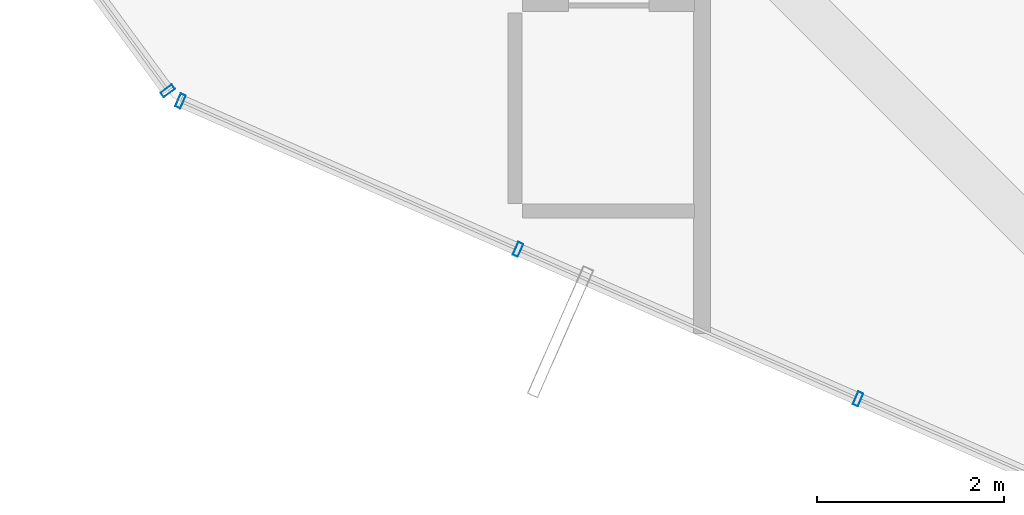
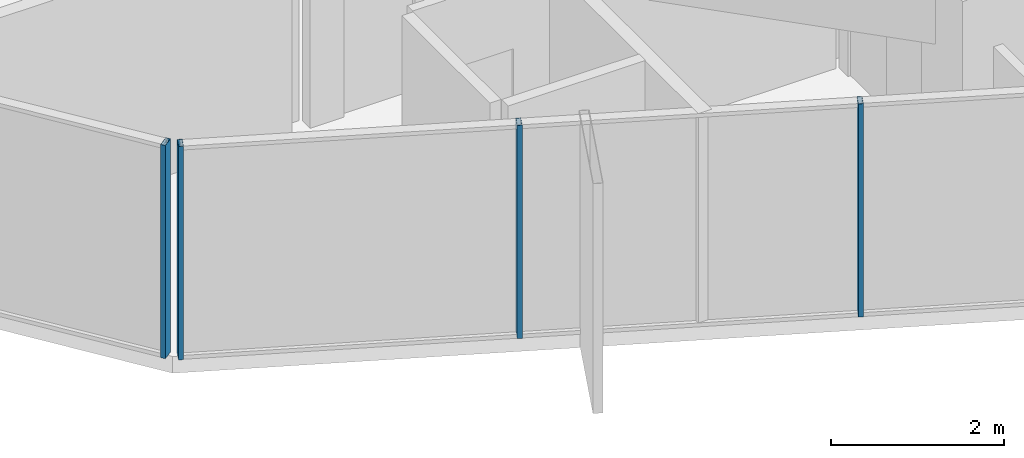
# One storey, part 2 of 32: 4 members, 2 elements without a shape of their own.
"""IFC4 building model written with IfcOpenShell, lengths in metres."""

from ifc_helpers import new_model, si_unit, direction, frame, origin, origin_2d, place, context, subcontext, project, spatial, hollow_rectangle, extrude, source, transform, mapped, material, layer, layer_set, material_profile, profile_set, type_object, element, aggregate, save


model = new_model("IFC4")

# Units and contexts
model_context = context("Model", 3, precision=1e-05, world=origin(), true_north=direction((0.0, 1.0)))
body_context = subcontext(model_context, "Body", "Model", "MODEL_VIEW")
ifc_project = project(units=[si_unit("LENGTHUNIT", "METRE"), si_unit("AREAUNIT", "SQUARE_METRE"), si_unit("VOLUMEUNIT", "CUBIC_METRE"), si_unit("PLANEANGLEUNIT", "RADIAN"), si_unit("MASSUNIT", "GRAM", prefix="KILO")], contexts=[model_context])

# Site, building, storey
site_placement = place(None, origin())
site = spatial("IfcSite", under=ifc_project, at=site_placement, CompositionType="ELEMENT")
building_placement = place(site_placement, origin())
building = spatial("IfcBuilding", under=site, at=building_placement, Name="Veraguas Prism Commons", CompositionType="ELEMENT")
storey_placement = place(building_placement, frame((0.0, 0.0, 185.35009765625)))
storey = spatial("IfcBuildingStorey", under=building, at=storey_placement, Name="L52", CompositionType="ELEMENT", Elevation=185.35009765625)

# Curtain wall, members
ifc_material = material(Name="Anodised aluminium EN AW-6063 T6", Category="aluminium")
ifc_layer = layer(ifc_material, 0.14990234375, Name="Unitised Flush Curtain Wall Zone 3", Category="aluminium")
ifc_layer_set = layer_set([ifc_layer], Name="Anodised aluminium EN AW-6063 T6")
curtain_wall_type = type_object("IfcCurtainWallType", Name="Unitised Flush Curtain Wall Zone 3", PredefinedType="NOTDEFINED", material=ifc_layer_set)
curtain_wall_1_placement = place(storey_placement, origin())
curtain_wall_1 = element("IfcCurtainWall", 1, at=curtain_wall_1_placement, inside=storey, type_object=curtain_wall_type, Name="Tower Facade Curtain Wall L52-F4", PredefinedType="NOTDEFINED")
ifc_material_profile = material_profile(ifc_material, hollow_rectangle(XDim=0.06005859375, YDim=0.14990234375, WallThickness=0.0029296875, at=origin_2d()), Name="AL60X150X3")
ifc_profile_set = profile_set([ifc_material_profile], Name="Anodised aluminium EN AW-6063 T6")
member_type = type_object("IfcMemberType", Name="Curtain Wall Mullion Upper AL 60x150x3", PredefinedType="MULLION", material=ifc_profile_set)
shared_shape = source(origin(), body_context, "Body", "SweptSolid", [
    extrude(hollow_rectangle(XDim=0.06005859375, YDim=0.14990234375, WallThickness=0.0029296875, at=origin_2d()), origin(), (0.0, 0.0, 1.0), 3.014892578125),
])
member_1_placement = place(storey_placement, frame((9.619140625, 10.977294921875, 0.0), z_axis=(0.0, 0.0, 1.0), x_axis=(0.915384568301, -0.402580541155, 0.0)))
member_1 = element("IfcMember", 2, at=member_1_placement, type_object=member_type, Name="CW-Z3 Mullion 1", PredefinedType="MULLION", context=body_context, shape_type="MappedRepresentation", body=[
    mapped(shared_shape, transform((0.0, 0.0, 0.0), scale=1.0)),
])
member_2_placement = place(storey_placement, frame((13.23095703125, 9.388916015625, 0.0), z_axis=(0.0, 0.0, 1.0), x_axis=(0.915384568301, -0.402580541155, 0.0)))
member_2 = element("IfcMember", 3, at=member_2_placement, type_object=member_type, Name="CW-Z3 Mullion 2", PredefinedType="MULLION", context=body_context, shape_type="MappedRepresentation", body=[
    mapped(shared_shape, transform((0.0, 0.0, 0.0), scale=1.0)),
])
member_3_placement = place(storey_placement, frame((16.8701171875, 7.788330078125, 0.0), z_axis=(0.0, 0.0, 1.0), x_axis=(0.915384568301, -0.402580541155, 0.0)))
member_3 = element("IfcMember", 4, at=member_3_placement, type_object=member_type, Name="CW-Z3 Mullion 3", PredefinedType="MULLION", context=body_context, shape_type="MappedRepresentation", body=[
    mapped(shared_shape, transform((0.0, 0.0, 0.0), scale=1.0)),
])
aggregate(curtain_wall_1, [member_1, member_2, member_3])

# Curtain wall, member
curtain_wall_2_placement = place(storey_placement, origin())
curtain_wall_2 = element("IfcCurtainWall", 5, at=curtain_wall_2_placement, inside=storey, type_object=curtain_wall_type, Name="Chamfer Curtain Wall L52-C4", PredefinedType="NOTDEFINED")
member_4_placement = place(storey_placement, frame((9.483642578125, 11.086181640625, 0.0), z_axis=(0.0, 0.0, 1.0), x_axis=(0.5914630564, -0.806332098402, 0.0)))
member_4 = element("IfcMember", 6, at=member_4_placement, type_object=member_type, Name="CW-Z3 Mullion 2", PredefinedType="MULLION", context=body_context, shape_type="MappedRepresentation", body=[
    mapped(shared_shape, transform((0.0, 0.0, 0.0), scale=1.0)),
])
aggregate(curtain_wall_2, [member_4])

save(model, "model.ifc")
